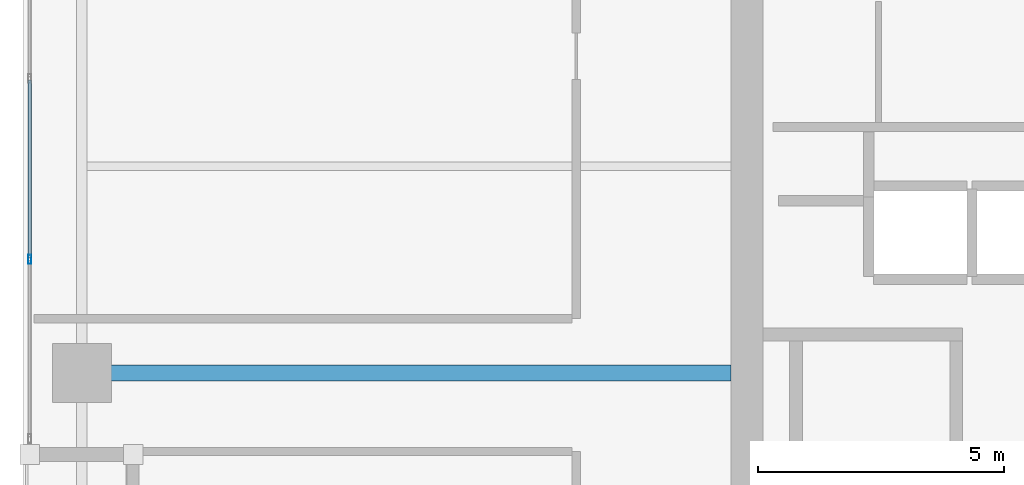
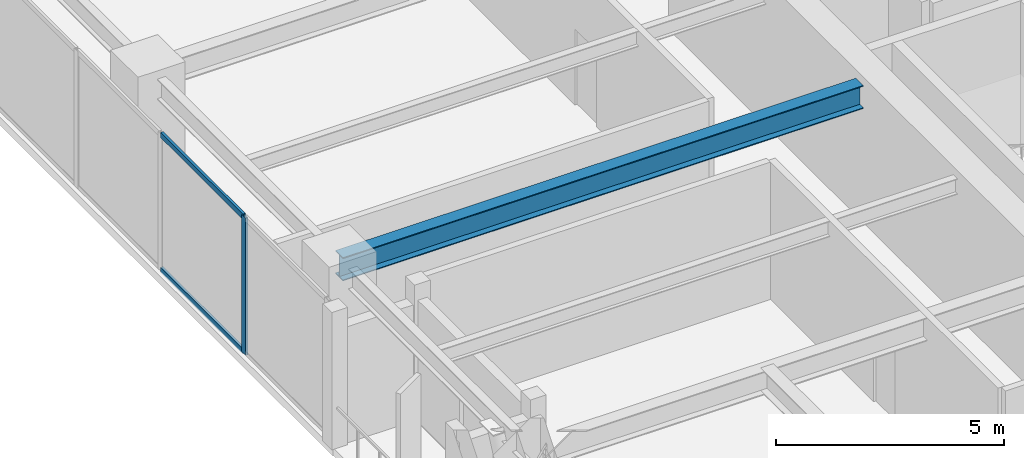
# One storey, part 4 of 30: 3 members, 1 beam, 1 element without a shape of its own.
"""IFC4 building model written with IfcOpenShell, lengths in metres."""

from ifc_helpers import new_model, si_unit, direction, frame, origin, origin_2d, place, context, subcontext, project, spatial, hollow_rectangle, i_section, extrude, material, layer, layer_set, material_profile, profile_set, type_object, element, aggregate, save


model = new_model("IFC4")

# Units and contexts
model_context = context("Model", 3, precision=1e-05, world=origin(), true_north=direction((0.0, 1.0)))
body_context = subcontext(model_context, "Body", "Model", "MODEL_VIEW")
ifc_project = project(units=[si_unit("LENGTHUNIT", "METRE"), si_unit("AREAUNIT", "SQUARE_METRE"), si_unit("VOLUMEUNIT", "CUBIC_METRE"), si_unit("PLANEANGLEUNIT", "RADIAN"), si_unit("MASSUNIT", "GRAM", prefix="KILO")], contexts=[model_context])

# Site, building, storey
site_placement = place(None, origin())
site = spatial("IfcSite", under=ifc_project, at=site_placement, CompositionType="ELEMENT")
building_placement = place(site_placement, origin())
building = spatial("IfcBuilding", under=site, at=building_placement, Name="Kiyonajd Concourse Tower", CompositionType="ELEMENT")
storey_placement = place(building_placement, frame((0.0, 0.0, 198.0)))
storey = spatial("IfcBuildingStorey", under=building, at=storey_placement, Name="L50", CompositionType="ELEMENT", Elevation=198.0)

# Beam
ifc_material_1 = material(Name="Steel ASTM A992 Grade 50", Category="steel")
ifc_material_profile_1 = material_profile(ifc_material_1, i_section(OverallWidth=0.326904296875, OverallDepth=0.6220703125, WebThickness=0.015380859375, FlangeThickness=0.0244140625, at=origin_2d()), Name="W610X195")
ifc_profile_set_1 = profile_set([ifc_material_profile_1], Name="Steel ASTM A992 Grade 50")
beam_type = type_object("IfcBeamType", Name="BM-TWR-610A", PredefinedType="BEAM", material=ifc_profile_set_1)
beam_placement = place(storey_placement, frame((19.199951171875, 36.0, 3.368896484375), z_axis=(1.0, 0.0, 0.0), x_axis=(0.0, 1.0, 0.0)))
element("IfcBeam", 1, at=beam_placement, inside=storey, type_object=beam_type, Name="L50 West Lease Girder", PredefinedType="BEAM", context=body_context, shape_type="SweptSolid", body=[
    extrude(i_section(OverallWidth=0.326904296875, OverallDepth=0.6220703125, WebThickness=0.015380859375, FlangeThickness=0.0244140625, at=origin_2d()), origin(), (0.0, 0.0, 1.0), 13.199951171875),
])

# Curtain wall, members
ifc_material_2 = material(Name="Thermally Broken Anodised Aluminium", Category="aluminium")
ifc_layer = layer(ifc_material_2, 0.179931640625)
ifc_layer_set = layer_set([ifc_layer], Name="Thermally Broken Anodised Aluminium")
curtain_wall_type = type_object("IfcCurtainWallType", Name="CW-SYS-03", PredefinedType="NOTDEFINED", material=ifc_layer_set)
curtain_wall_placement = place(storey_placement, origin())
curtain_wall = element("IfcCurtainWall", 2, at=curtain_wall_placement, inside=storey, type_object=curtain_wall_type, Name="L50 Unitised Curtain Wall CW3", PredefinedType="NOTDEFINED")
ifc_material_profile_2 = material_profile(ifc_material_2, hollow_rectangle(XDim=0.06494140625, YDim=0.179931640625, WallThickness=0.00390625, at=origin_2d()), Name="MULL-65x180")
ifc_profile_set_2 = profile_set([ifc_material_profile_2], Name="Thermally Broken Anodised Aluminium")
member_type_1 = type_object("IfcMemberType", Name="MB-CW-MULL1", PredefinedType="MULLION", material=ifc_profile_set_2)
member_1_placement = place(storey_placement, frame((18.139892578125, 38.306884765625, 0.0), z_axis=(0.0, 0.0, 1.0), x_axis=(-1.0, 0.0, 0.0)))
member_1 = element("IfcMember", 3, at=member_1_placement, type_object=member_type_1, Name="CW3 mullion 2", PredefinedType="MULLION", context=body_context, shape_type="SweptSolid", body=[
    extrude(hollow_rectangle(XDim=0.06494140625, YDim=0.179931640625, WallThickness=0.00390625, at=origin_2d()), origin(), (0.0, 0.0, 1.0), 3.679931640625),
])
ifc_material_profile_3 = material_profile(ifc_material_2, hollow_rectangle(XDim=0.06494140625, YDim=0.139892578125, WallThickness=0.00390625, at=origin_2d()), Name="TRAN-65x140")
ifc_profile_set_3 = profile_set([ifc_material_profile_3], Name="Thermally Broken Anodised Aluminium")
member_type_2 = type_object("IfcMemberType", Name="MB-CW-TRAN1", PredefinedType="USERDEFINED", material=ifc_profile_set_3)
member_2_placement = place(storey_placement, frame((18.139892578125, 38.33935546875, 0.032470703125), z_axis=(0.0, 1.0, 0.0), x_axis=(-1.0, 0.0, 0.0)))
member_2 = element("IfcMember", 4, at=member_2_placement, type_object=member_type_2, Name="CW3 transom 2.1", ObjectType="TRANSOM", PredefinedType="USERDEFINED", context=body_context, shape_type="SweptSolid", body=[
    extrude(hollow_rectangle(XDim=0.06494140625, YDim=0.139892578125, WallThickness=0.00390625, at=origin_2d()), origin(), (0.0, 0.0, 1.0), 3.612060546875),
])
member_3_placement = place(storey_placement, frame((18.139892578125, 38.33935546875, 3.6474609375), z_axis=(0.0, 1.0, 0.0), x_axis=(-1.0, 0.0, 0.0)))
member_3 = element("IfcMember", 5, at=member_3_placement, type_object=member_type_2, Name="CW3 transom 2.2", ObjectType="TRANSOM", PredefinedType="USERDEFINED", context=body_context, shape_type="SweptSolid", body=[
    extrude(hollow_rectangle(XDim=0.06494140625, YDim=0.139892578125, WallThickness=0.00390625, at=origin_2d()), origin(), (0.0, 0.0, 1.0), 3.612060546875),
])
aggregate(curtain_wall, [member_1, member_2, member_3])

save(model, "model.ifc")
